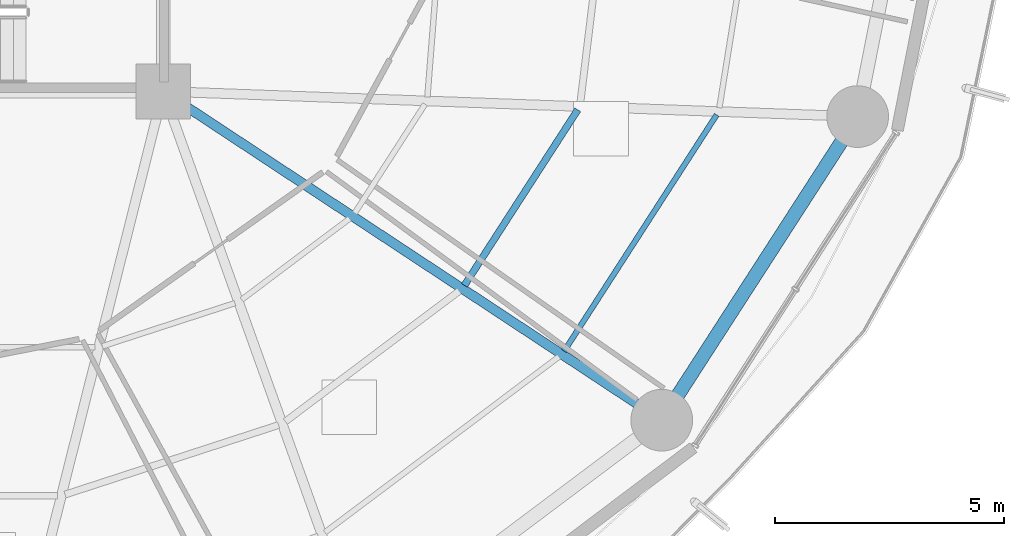
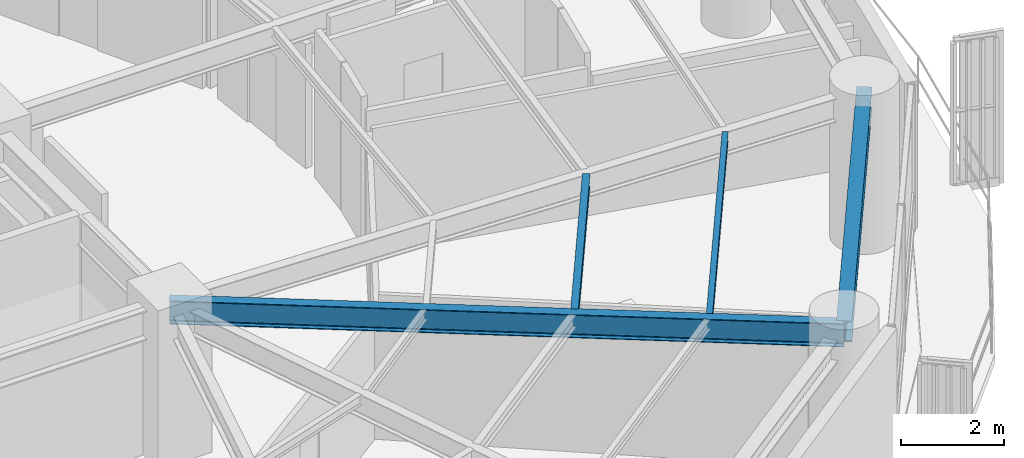
# One storey, part 13 of 35: 4 beams.
"""IFC4 building model written with IfcOpenShell, lengths in metres."""

import ifcopenshell
import ifcopenshell.guid

model = None  # the IFC model being written
_history = None  # IfcOwnerHistory: only IFC2X3 demands one
_inside = {}  # id of a spatial element -> (the spatial element, [elements in it])
_under = {}  # id of a project, library or spatial element -> (it, [spatial elements below it])
_declared = {}  # id of a project -> (the project, [libraries it declares])
_typed = {}  # id of a type object -> (the type object, [elements of that type])
_made_of = {}  # id of a material, layer set ... -> (it, [elements and type objects made of it])


def new_model(schema):
    """Start an empty IFC model of exactly this schema.

    Asked for "IFC4X3", IfcOpenShell would pick the latest addendum, in which some entities
    have other attributes; the version numbers below select the first issue.
    IFC2X3 requires an IfcOwnerHistory on every rooted entity: one is made here for all.
    """
    global model, _history
    if schema == "IFC4X3":
        model = ifcopenshell.file(schema_version=(4, 3, 0, 0))
    else:
        model = ifcopenshell.file(schema=schema)
    _inside.clear()
    _under.clear()
    _declared.clear()
    _typed.clear()
    _made_of.clear()
    _history = None
    if model.schema == "IFC2X3":
        org = make("IfcOrganization", Name="unknown")
        user = make(
            "IfcPersonAndOrganization",
            ThePerson=make("IfcPerson", FamilyName="unknown"),
            TheOrganization=org,
        )
        app = make(
            "IfcApplication",
            ApplicationDeveloper=org,
            Version="unknown",
            ApplicationFullName="unknown",
            ApplicationIdentifier="unknown",
        )
        _history = make(
            "IfcOwnerHistory",
            OwningUser=user,
            OwningApplication=app,
            ChangeAction="ADDED",
            CreationDate=0,
        )
    return model


def make(cls, **values):
    """One entity of the class cls with the attributes given. An attribute that is None is left unset."""
    return model.create_entity(
        cls, **{name: value for name, value in values.items() if value is not None}
    )


def rooted(cls, **values):
    """An entity with a GlobalId (a new one), such as an element, a storey or a relation."""
    return make(cls, GlobalId=ifcopenshell.guid.new(), OwnerHistory=_history, **values)


def si_unit(unit_type, name, prefix=None):
    """IfcSIUnit, for example si_unit("LENGTHUNIT", "METRE", prefix="MILLI")."""
    return make("IfcSIUnit", UnitType=unit_type, Prefix=prefix, Name=name)


def assignment(units):
    """IfcUnitAssignment: the units of a project."""
    return None if units is None else make("IfcUnitAssignment", Units=units)


def point(xyz):
    """IfcCartesianPoint."""
    return None if xyz is None else make("IfcCartesianPoint", Coordinates=xyz)


def direction(xyz):
    """IfcDirection."""
    return None if xyz is None else make("IfcDirection", DirectionRatios=xyz)


def frame(location, z_axis=None, x_axis=None):
    """IfcAxis2Placement3D, a coordinate frame: its origin and axes. An axis left out is left unset."""
    return make(
        "IfcAxis2Placement3D",
        Location=point(location),
        Axis=direction(z_axis),
        RefDirection=direction(x_axis),
    )


def frame_2d(location, x_axis=None):
    """IfcAxis2Placement2D, a coordinate frame in the plane: its origin and x axis."""
    return make(
        "IfcAxis2Placement2D", Location=point(location), RefDirection=direction(x_axis)
    )


def origin():
    """The frame at (0, 0, 0) with its axes left unset."""
    return frame((0.0, 0.0, 0.0))


def origin_2d():
    """The frame at (0, 0) in the plane with its x axis left unset."""
    return frame_2d((0.0, 0.0))


def place(relative_to, where):
    """IfcLocalPlacement: puts the frame where relative to a parent placement (None: the world)."""
    return make(
        "IfcLocalPlacement", PlacementRelTo=relative_to, RelativePlacement=where
    )


def context(
    kind, dimensions, precision=None, world=None, true_north=None, identifier=None
):
    """IfcGeometricRepresentationContext, for example the 3D "Model" context."""
    return make(
        "IfcGeometricRepresentationContext",
        ContextIdentifier=identifier,
        ContextType=kind,
        CoordinateSpaceDimension=dimensions,
        Precision=precision,
        WorldCoordinateSystem=world,
        TrueNorth=true_north,
    )


def subcontext(parent, identifier, kind, view, scale=None):
    """IfcGeometricRepresentationSubContext, for example "Body" below "Model"."""
    return make(
        "IfcGeometricRepresentationSubContext",
        ContextIdentifier=identifier,
        ContextType=kind,
        ParentContext=parent,
        TargetScale=scale,
        TargetView=view,
    )


def project(units=None, contexts=None):
    """IfcProject with its units and contexts."""
    return rooted(
        "IfcProject",
        Name="project",
        RepresentationContexts=contexts,
        UnitsInContext=assignment(units),
    )


def spatial(cls, under=None, at=None, **own):
    """A site, building, storey or space (cls), placed at a placement, below another one or the project."""
    s = rooted(cls, ObjectPlacement=at, **own)
    if under is not None:
        _under.setdefault(under.id(), (under, []))[1].append(s)
    return s


def profile(cls, at=None, kind="AREA", **sizes):
    """A parametric profile (cls). Its sizes go by their IFC names, for example OverallWidth=200.0."""
    return make(cls, ProfileType=kind, Position=at, **sizes)


def i_section(**sizes):
    """IfcIShapeProfileDef."""
    return profile("IfcIShapeProfileDef", **sizes)


def extrude(swept, where, along, depth):
    """IfcExtrudedAreaSolid: the profile swept, set in the frame where, extruded along a direction by depth."""
    return make(
        "IfcExtrudedAreaSolid",
        SweptArea=swept,
        Position=where,
        ExtrudedDirection=direction(along),
        Depth=depth,
    )


def shape(context_of_items, identifier, shape_type, items):
    """IfcShapeRepresentation: the items that make up one representation, for example the "Body"."""
    return make(
        "IfcShapeRepresentation",
        ContextOfItems=context_of_items,
        RepresentationIdentifier=identifier,
        RepresentationType=shape_type,
        Items=items,
    )


def material(Name=None, Category=None):
    """IfcMaterial."""
    return make("IfcMaterial", Name=Name, Category=Category)


def material_profile(
    of_material, cross_section, Name=None, Category=None, Priority=None
):
    """IfcMaterialProfile: a cross section and its material."""
    return make(
        "IfcMaterialProfile",
        Name=Name,
        Material=of_material,
        Profile=cross_section,
        Priority=Priority,
        Category=Category,
    )


def profile_set(profiles, Name=None, composite=None):
    """IfcMaterialProfileSet."""
    return make(
        "IfcMaterialProfileSet",
        Name=Name,
        MaterialProfiles=profiles,
        CompositeProfile=composite,
    )


def made_of(thing, what):
    """Note that an element or type object is made of a material, layer set ...; save() writes the relation."""
    if what is not None:
        _made_of.setdefault(what.id(), (what, []))[1].append(thing)
    return thing


def type_object(cls, material=None, **own):
    """A type object (cls), such as IfcWallType, which elements share."""
    return made_of(rooted(cls, **own), material)


def element(
    cls,
    number,
    at=None,
    inside=None,
    cuts=None,
    type_object=None,
    material=None,
    context=None,
    identifier="Body",
    shape_type=None,
    held_by="IfcProductDefinitionShape",
    body=None,
    shapes=None,
    **own,
):
    """One element of the class cls, such as IfcWall. Its Tag is "e" and its number.

    at: its placement. inside: the storey or other place that contains it. cuts: it is an
    opening in that element (IfcRelVoidsElement). A single representation is given by context,
    identifier, shape_type and body (its items); several are given by shapes. held_by: the class
    of the entity that holds the representations. save() writes the other relations.
    """
    e = rooted(cls, Tag="e%d" % number, ObjectPlacement=at, **own)
    if body is not None:
        shapes = [shape(context, identifier, shape_type, body)]
    if shapes is not None:
        e.Representation = make(held_by, Representations=shapes)
    if inside is not None:
        _inside.setdefault(inside.id(), (inside, []))[1].append(e)
    if cuts is not None:
        rooted(
            "IfcRelVoidsElement", RelatingBuildingElement=cuts, RelatedOpeningElement=e
        )
    if type_object is not None:
        _typed.setdefault(type_object.id(), (type_object, []))[1].append(e)
    return made_of(e, material)


def aggregate(whole, parts):
    """IfcRelAggregates: a whole, such as a stair, and the parts it consists of."""
    return rooted("IfcRelAggregates", RelatingObject=whole, RelatedObjects=parts)


def save(model, path):
    """Write the relations noted so far, then the file.

    IfcRelAggregates (storeys below a building ...), IfcRelContainedInSpatialStructure (elements
    in a storey), IfcRelDefinesByType, IfcRelAssociatesMaterial and IfcRelDeclares: one each for
    every whole, place, type object, material and project.
    """
    for whole, parts in _under.values():
        aggregate(whole, parts)
    for where, things in _inside.values():
        rooted(
            "IfcRelContainedInSpatialStructure",
            RelatedElements=things,
            RelatingStructure=where,
        )
    for kind, things in _typed.values():
        rooted("IfcRelDefinesByType", RelatedObjects=things, RelatingType=kind)
    for what, things in _made_of.values():
        rooted("IfcRelAssociatesMaterial", RelatedObjects=things, RelatingMaterial=what)
    for by, libraries in _declared.values():
        rooted("IfcRelDeclares", RelatingContext=by, RelatedDefinitions=libraries)
    model.write(path)


model = new_model("IFC4")

# Units and contexts
model_context = context("Model", 3, precision=1e-05, world=origin(), true_north=direction((0.0, 1.0)))
body_context = subcontext(model_context, "Body", "Model", "MODEL_VIEW")
ifc_project = project(units=[si_unit("LENGTHUNIT", "METRE"), si_unit("AREAUNIT", "SQUARE_METRE"), si_unit("VOLUMEUNIT", "CUBIC_METRE"), si_unit("PLANEANGLEUNIT", "RADIAN"), si_unit("MASSUNIT", "GRAM", prefix="KILO")], contexts=[model_context])

# Site, building, storey
site_placement = place(None, origin())
site = spatial("IfcSite", under=ifc_project, at=site_placement, CompositionType="ELEMENT")
building_placement = place(site_placement, origin())
building = spatial("IfcBuilding", under=site, at=building_placement, Name="Kelanora Arch Commons", CompositionType="ELEMENT")
storey_placement = place(building_placement, frame((0.0, 0.0, 117.60009765625)))
storey = spatial("IfcBuildingStorey", under=building, at=storey_placement, Name="L30", CompositionType="ELEMENT", Elevation=117.60009765625)

# Beams
ifc_material = material(Name="Steel S355", Category="steel")
ifc_material_profile_1 = material_profile(ifc_material, i_section(OverallWidth=0.14990234375, OverallDepth=0.300048828125, WebThickness=0.007080078125, FlangeThickness=0.0107421875, FilletRadius=0.014892578125, at=origin_2d()), Name="IPE300")
ifc_profile_set_1 = profile_set([ifc_material_profile_1], Name="Steel S355")
beam_type_1 = type_object("IfcBeamType", Name="BM-JST-01", PredefinedType="JOIST", material=ifc_profile_set_1)
beam_1_placement = place(storey_placement, frame((88.589599609375, 46.755615234375, 3.33984375), z_axis=(0.542230243286, 0.840229946661, 0.0), x_axis=(-0.840229946661, 0.542230243286, 0.0)))
element("IfcBeam", 1, at=beam_1_placement, inside=storey, type_object=beam_type_1, Name="Secondary Chord Joist BJB-32 L30", PredefinedType="JOIST", context=body_context, shape_type="SweptSolid", body=[
    extrude(i_section(OverallWidth=0.14990234375, OverallDepth=0.300048828125, WebThickness=0.007080078125, FlangeThickness=0.0107421875, FilletRadius=0.014892578125, at=origin_2d()), origin(), (0.0, 0.0, 1.0), 4.572265625),
])
ifc_material_profile_2 = material_profile(ifc_material, i_section(OverallWidth=0.1201171875, OverallDepth=0.239990234375, WebThickness=0.006103515625, FlangeThickness=0.009765625, FilletRadius=0.014892578125, at=origin_2d()), Name="IPE240")
ifc_profile_set_2 = profile_set([ifc_material_profile_2], Name="Steel S355")
beam_type_2 = type_object("IfcBeamType", Name="BM-JST-02", PredefinedType="JOIST", material=ifc_profile_set_2)
beam_2_placement = place(storey_placement, frame((90.77099609375, 45.317138671875, 3.369873046875), z_axis=(0.542212726273, 0.840241250754, 0.0), x_axis=(-0.840241250754, 0.542212726273, 0.0)))
element("IfcBeam", 2, at=beam_2_placement, inside=storey, type_object=beam_type_2, Name="Secondary Chord Joist BJC-32 L30", PredefinedType="JOIST", context=body_context, shape_type="SweptSolid", body=[
    extrude(i_section(OverallWidth=0.1201171875, OverallDepth=0.239990234375, WebThickness=0.006103515625, FlangeThickness=0.009765625, FilletRadius=0.014892578125, at=origin_2d()), origin(), (0.0, 0.0, 1.0), 6.15283203125),
])
ifc_material_profile_3 = material_profile(ifc_material, i_section(OverallWidth=0.2099609375, OverallDepth=0.550048828125, WebThickness=0.010986328125, FlangeThickness=0.01708984375, FilletRadius=0.02392578125, at=origin_2d()), Name="IPE550")
ifc_profile_set_3 = profile_set([ifc_material_profile_3], Name="Steel S355")
beam_type_3 = type_object("IfcBeamType", Name="BM-RAD-Z2", PredefinedType="BEAM", material=ifc_profile_set_3)
beam_3_placement = place(storey_placement, frame((82.0, 51.0, 3.21484375), z_axis=(0.834788577908, -0.550570640512, 0.0), x_axis=(0.550570640512, 0.834788577908, 0.0)))
element("IfcBeam", 3, at=beam_3_placement, inside=storey, type_object=beam_type_3, Name="Radial Floor Girder BR-32 L30", PredefinedType="BEAM", context=body_context, shape_type="SweptSolid", body=[
    extrude(i_section(OverallWidth=0.2099609375, OverallDepth=0.550048828125, WebThickness=0.010986328125, FlangeThickness=0.01708984375, FilletRadius=0.02392578125, at=origin_2d()), origin(), (0.0, 0.0, 1.0), 13.064453125),
])
ifc_material_profile_4 = material_profile(ifc_material, i_section(OverallWidth=0.300048828125, OverallDepth=0.5, WebThickness=0.014404296875, FlangeThickness=0.028076171875, FilletRadius=0.027099609375, at=origin_2d()), Name="HEB500")
ifc_profile_set_4 = profile_set([ifc_material_profile_4], Name="Steel S355")
beam_type_4 = type_object("IfcBeamType", Name="BM-SPN-Z2", PredefinedType="SPANDREL", material=ifc_profile_set_4)
beam_4_placement = place(storey_placement, frame((92.906005859375, 43.80712890625, 3.239990234375), z_axis=(0.542221144054, 0.840235818649, 0.0), x_axis=(-0.840235818649, 0.542221144054, 0.0)))
element("IfcBeam", 4, at=beam_4_placement, inside=storey, type_object=beam_type_4, Name="Perimeter Spandrel Beam BS-32 L30", PredefinedType="SPANDREL", context=body_context, shape_type="SweptSolid", body=[
    extrude(i_section(OverallWidth=0.300048828125, OverallDepth=0.5, WebThickness=0.014404296875, FlangeThickness=0.028076171875, FilletRadius=0.027099609375, at=origin_2d()), origin(), (0.0, 0.0, 1.0), 7.90380859375),
])

save(model, "model.ifc")
